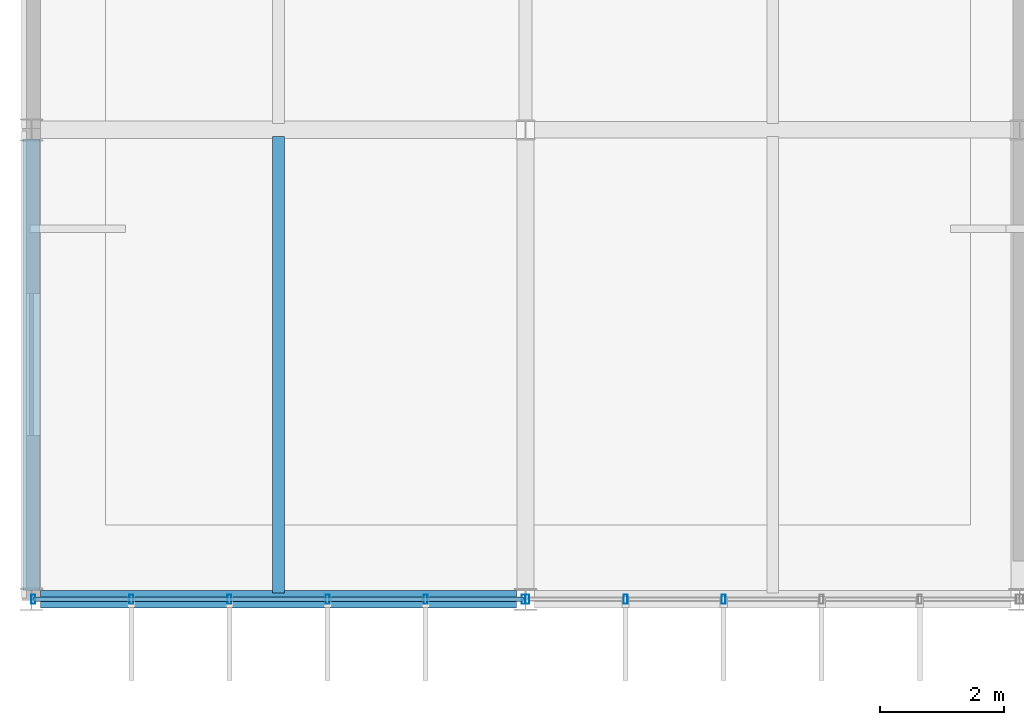
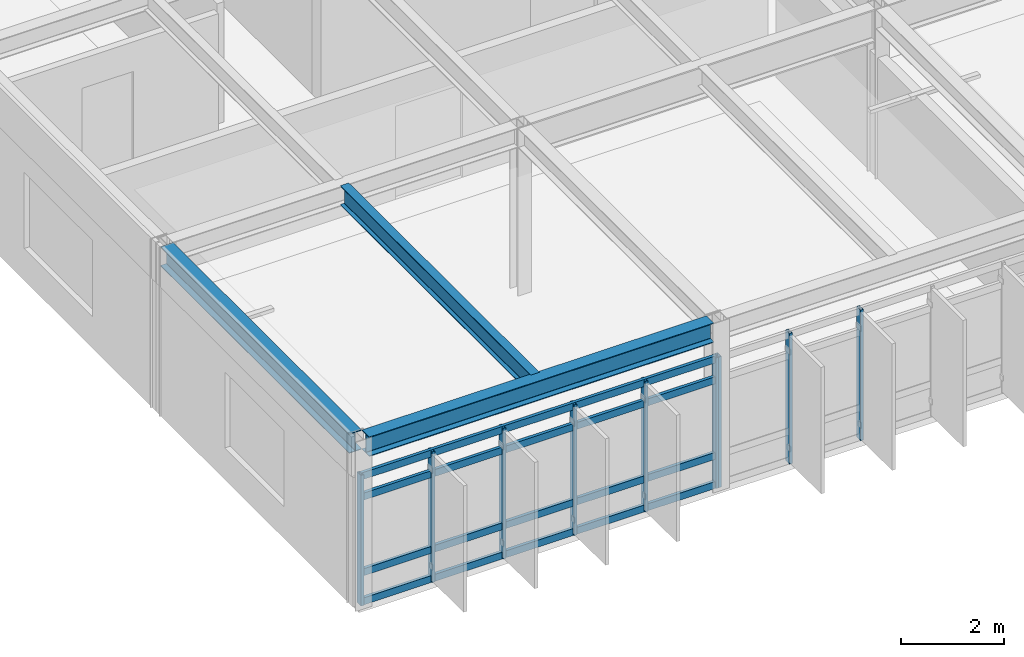
# One storey, part 8 of 33: 13 members, 3 beams, 2 elements without a shape of their own.
"""IFC4 building model written with IfcOpenShell, lengths in metres."""

import ifcopenshell
import ifcopenshell.guid

model = None  # the IFC model being written
_history = None  # IfcOwnerHistory: only IFC2X3 demands one
_inside = {}  # id of a spatial element -> (the spatial element, [elements in it])
_under = {}  # id of a project, library or spatial element -> (it, [spatial elements below it])
_declared = {}  # id of a project -> (the project, [libraries it declares])
_typed = {}  # id of a type object -> (the type object, [elements of that type])
_made_of = {}  # id of a material, layer set ... -> (it, [elements and type objects made of it])


def new_model(schema):
    """Start an empty IFC model of exactly this schema.

    Asked for "IFC4X3", IfcOpenShell would pick the latest addendum, in which some entities
    have other attributes; the version numbers below select the first issue.
    IFC2X3 requires an IfcOwnerHistory on every rooted entity: one is made here for all.
    """
    global model, _history
    if schema == "IFC4X3":
        model = ifcopenshell.file(schema_version=(4, 3, 0, 0))
    else:
        model = ifcopenshell.file(schema=schema)
    _inside.clear()
    _under.clear()
    _declared.clear()
    _typed.clear()
    _made_of.clear()
    _history = None
    if model.schema == "IFC2X3":
        org = make("IfcOrganization", Name="unknown")
        user = make(
            "IfcPersonAndOrganization",
            ThePerson=make("IfcPerson", FamilyName="unknown"),
            TheOrganization=org,
        )
        app = make(
            "IfcApplication",
            ApplicationDeveloper=org,
            Version="unknown",
            ApplicationFullName="unknown",
            ApplicationIdentifier="unknown",
        )
        _history = make(
            "IfcOwnerHistory",
            OwningUser=user,
            OwningApplication=app,
            ChangeAction="ADDED",
            CreationDate=0,
        )
    return model


def make(cls, **values):
    """One entity of the class cls with the attributes given. An attribute that is None is left unset."""
    return model.create_entity(
        cls, **{name: value for name, value in values.items() if value is not None}
    )


def rooted(cls, **values):
    """An entity with a GlobalId (a new one), such as an element, a storey or a relation."""
    return make(cls, GlobalId=ifcopenshell.guid.new(), OwnerHistory=_history, **values)


def si_unit(unit_type, name, prefix=None):
    """IfcSIUnit, for example si_unit("LENGTHUNIT", "METRE", prefix="MILLI")."""
    return make("IfcSIUnit", UnitType=unit_type, Prefix=prefix, Name=name)


def assignment(units):
    """IfcUnitAssignment: the units of a project."""
    return None if units is None else make("IfcUnitAssignment", Units=units)


def point(xyz):
    """IfcCartesianPoint."""
    return None if xyz is None else make("IfcCartesianPoint", Coordinates=xyz)


def direction(xyz):
    """IfcDirection."""
    return None if xyz is None else make("IfcDirection", DirectionRatios=xyz)


def frame(location, z_axis=None, x_axis=None):
    """IfcAxis2Placement3D, a coordinate frame: its origin and axes. An axis left out is left unset."""
    return make(
        "IfcAxis2Placement3D",
        Location=point(location),
        Axis=direction(z_axis),
        RefDirection=direction(x_axis),
    )


def frame_2d(location, x_axis=None):
    """IfcAxis2Placement2D, a coordinate frame in the plane: its origin and x axis."""
    return make(
        "IfcAxis2Placement2D", Location=point(location), RefDirection=direction(x_axis)
    )


def origin():
    """The frame at (0, 0, 0) with its axes left unset."""
    return frame((0.0, 0.0, 0.0))


def origin_2d():
    """The frame at (0, 0) in the plane with its x axis left unset."""
    return frame_2d((0.0, 0.0))


def place(relative_to, where):
    """IfcLocalPlacement: puts the frame where relative to a parent placement (None: the world)."""
    return make(
        "IfcLocalPlacement", PlacementRelTo=relative_to, RelativePlacement=where
    )


def context(
    kind, dimensions, precision=None, world=None, true_north=None, identifier=None
):
    """IfcGeometricRepresentationContext, for example the 3D "Model" context."""
    return make(
        "IfcGeometricRepresentationContext",
        ContextIdentifier=identifier,
        ContextType=kind,
        CoordinateSpaceDimension=dimensions,
        Precision=precision,
        WorldCoordinateSystem=world,
        TrueNorth=true_north,
    )


def subcontext(parent, identifier, kind, view, scale=None):
    """IfcGeometricRepresentationSubContext, for example "Body" below "Model"."""
    return make(
        "IfcGeometricRepresentationSubContext",
        ContextIdentifier=identifier,
        ContextType=kind,
        ParentContext=parent,
        TargetScale=scale,
        TargetView=view,
    )


def project(units=None, contexts=None):
    """IfcProject with its units and contexts."""
    return rooted(
        "IfcProject",
        Name="project",
        RepresentationContexts=contexts,
        UnitsInContext=assignment(units),
    )


def spatial(cls, under=None, at=None, **own):
    """A site, building, storey or space (cls), placed at a placement, below another one or the project."""
    s = rooted(cls, ObjectPlacement=at, **own)
    if under is not None:
        _under.setdefault(under.id(), (under, []))[1].append(s)
    return s


def profile(cls, at=None, kind="AREA", **sizes):
    """A parametric profile (cls). Its sizes go by their IFC names, for example OverallWidth=200.0."""
    return make(cls, ProfileType=kind, Position=at, **sizes)


def hollow_rectangle(**sizes):
    """IfcRectangleHollowProfileDef."""
    return profile("IfcRectangleHollowProfileDef", **sizes)


def i_section(**sizes):
    """IfcIShapeProfileDef."""
    return profile("IfcIShapeProfileDef", **sizes)


def extrude(swept, where, along, depth):
    """IfcExtrudedAreaSolid: the profile swept, set in the frame where, extruded along a direction by depth."""
    return make(
        "IfcExtrudedAreaSolid",
        SweptArea=swept,
        Position=where,
        ExtrudedDirection=direction(along),
        Depth=depth,
    )


def shape(context_of_items, identifier, shape_type, items):
    """IfcShapeRepresentation: the items that make up one representation, for example the "Body"."""
    return make(
        "IfcShapeRepresentation",
        ContextOfItems=context_of_items,
        RepresentationIdentifier=identifier,
        RepresentationType=shape_type,
        Items=items,
    )


def material(Name=None, Category=None):
    """IfcMaterial."""
    return make("IfcMaterial", Name=Name, Category=Category)


def material_profile(
    of_material, cross_section, Name=None, Category=None, Priority=None
):
    """IfcMaterialProfile: a cross section and its material."""
    return make(
        "IfcMaterialProfile",
        Name=Name,
        Material=of_material,
        Profile=cross_section,
        Priority=Priority,
        Category=Category,
    )


def profile_set(profiles, Name=None, composite=None):
    """IfcMaterialProfileSet."""
    return make(
        "IfcMaterialProfileSet",
        Name=Name,
        MaterialProfiles=profiles,
        CompositeProfile=composite,
    )


def made_of(thing, what):
    """Note that an element or type object is made of a material, layer set ...; save() writes the relation."""
    if what is not None:
        _made_of.setdefault(what.id(), (what, []))[1].append(thing)
    return thing


def type_object(cls, material=None, **own):
    """A type object (cls), such as IfcWallType, which elements share."""
    return made_of(rooted(cls, **own), material)


def element(
    cls,
    number,
    at=None,
    inside=None,
    cuts=None,
    type_object=None,
    material=None,
    context=None,
    identifier="Body",
    shape_type=None,
    held_by="IfcProductDefinitionShape",
    body=None,
    shapes=None,
    **own,
):
    """One element of the class cls, such as IfcWall. Its Tag is "e" and its number.

    at: its placement. inside: the storey or other place that contains it. cuts: it is an
    opening in that element (IfcRelVoidsElement). A single representation is given by context,
    identifier, shape_type and body (its items); several are given by shapes. held_by: the class
    of the entity that holds the representations. save() writes the other relations.
    """
    e = rooted(cls, Tag="e%d" % number, ObjectPlacement=at, **own)
    if body is not None:
        shapes = [shape(context, identifier, shape_type, body)]
    if shapes is not None:
        e.Representation = make(held_by, Representations=shapes)
    if inside is not None:
        _inside.setdefault(inside.id(), (inside, []))[1].append(e)
    if cuts is not None:
        rooted(
            "IfcRelVoidsElement", RelatingBuildingElement=cuts, RelatedOpeningElement=e
        )
    if type_object is not None:
        _typed.setdefault(type_object.id(), (type_object, []))[1].append(e)
    return made_of(e, material)


def aggregate(whole, parts):
    """IfcRelAggregates: a whole, such as a stair, and the parts it consists of."""
    return rooted("IfcRelAggregates", RelatingObject=whole, RelatedObjects=parts)


def save(model, path):
    """Write the relations noted so far, then the file.

    IfcRelAggregates (storeys below a building ...), IfcRelContainedInSpatialStructure (elements
    in a storey), IfcRelDefinesByType, IfcRelAssociatesMaterial and IfcRelDeclares: one each for
    every whole, place, type object, material and project.
    """
    for whole, parts in _under.values():
        aggregate(whole, parts)
    for where, things in _inside.values():
        rooted(
            "IfcRelContainedInSpatialStructure",
            RelatedElements=things,
            RelatingStructure=where,
        )
    for kind, things in _typed.values():
        rooted("IfcRelDefinesByType", RelatedObjects=things, RelatingType=kind)
    for what, things in _made_of.values():
        rooted("IfcRelAssociatesMaterial", RelatedObjects=things, RelatingMaterial=what)
    for by, libraries in _declared.values():
        rooted("IfcRelDeclares", RelatingContext=by, RelatedDefinitions=libraries)
    model.write(path)


model = new_model("IFC4")

# Units and contexts
model_context = context("Model", 3, precision=1e-05, world=origin(), true_north=direction((0.0, 1.0)))
body_context = subcontext(model_context, "Body", "Model", "MODEL_VIEW")
ifc_project = project(units=[si_unit("LENGTHUNIT", "METRE"), si_unit("AREAUNIT", "SQUARE_METRE"), si_unit("VOLUMEUNIT", "CUBIC_METRE"), si_unit("PLANEANGLEUNIT", "RADIAN"), si_unit("MASSUNIT", "GRAM", prefix="KILO")], contexts=[model_context])

# Site, building, storey
site_placement = place(None, origin())
site = spatial("IfcSite", under=ifc_project, at=site_placement, CompositionType="ELEMENT")
building_placement = place(site_placement, origin())
building = spatial("IfcBuilding", under=site, at=building_placement, Name="Zulena Civic Courthouse", CompositionType="ELEMENT")
storey_placement = place(building_placement, frame((0.0, 0.0, 33.60009765625)))
storey = spatial("IfcBuildingStorey", under=building, at=storey_placement, Name="L07", CompositionType="ELEMENT", Elevation=33.60009765625)

# Curtain wall, members
ifc_material_1 = material(Name="Double-silver low-E laminated solar-control glass", Category="glass")
curtain_wall_type = type_object("IfcCurtainWallType", Name="CW_7940x3090", PredefinedType="USERDEFINED", material=ifc_material_1)
curtain_wall_1_placement = place(storey_placement, origin())
curtain_wall_1 = element("IfcCurtainWall", 1, at=curtain_wall_1_placement, inside=storey, type_object=curtain_wall_type, Name="cw:V2:L07:3:5", ObjectType="UNITISED CURTAIN WALL", PredefinedType="USERDEFINED")
ifc_material_2 = material(Name="Bronze anodised thermally broken aluminium AA6063-T6", Category="aluminium")
ifc_material_profile_1 = material_profile(ifc_material_2, hollow_rectangle(XDim=0.06494140625, YDim=0.14990234375, WallThickness=0.00390625, at=origin_2d()), Name="CWM150X65X4")
ifc_profile_set_1 = profile_set([ifc_material_profile_1], Name="Bronze anodised thermally broken aluminium AA6063-T6")
member_type_1 = type_object("IfcMemberType", Name="CWMullion_150x65", PredefinedType="MULLION", material=ifc_profile_set_1)
member_1_placement = place(storey_placement, frame((23.2060546875, 0.0, 0.0), z_axis=(0.0, 0.0, 1.0), x_axis=(1.0, 0.0, 0.0)))
member_1 = element("IfcMember", 2, at=member_1_placement, type_object=member_type_1, Name="cw:V2:L07:3:5:mull:3", PredefinedType="MULLION", context=body_context, shape_type="SweptSolid", body=[
    extrude(hollow_rectangle(XDim=0.06494140625, YDim=0.14990234375, WallThickness=0.00390625, at=origin_2d()), origin(), (0.0, 0.0, 1.0), 3.08984375),
])
member_2_placement = place(storey_placement, frame((21.617919921875, 0.0, 0.0), z_axis=(0.0, 0.0, 1.0), x_axis=(1.0, 0.0, 0.0)))
member_2 = element("IfcMember", 3, at=member_2_placement, type_object=member_type_1, Name="cw:V2:L07:3:5:mull:4", PredefinedType="MULLION", context=body_context, shape_type="SweptSolid", body=[
    extrude(hollow_rectangle(XDim=0.06494140625, YDim=0.14990234375, WallThickness=0.00390625, at=origin_2d()), origin(), (0.0, 0.0, 1.0), 3.08984375),
])
member_3_placement = place(storey_placement, frame((20.030029296875, 0.0, 0.0), z_axis=(0.0, 0.0, 1.0), x_axis=(1.0, 0.0, 0.0)))
member_3 = element("IfcMember", 4, at=member_3_placement, type_object=member_type_1, Name="cw:V2:L07:3:5:mull:5", PredefinedType="MULLION", context=body_context, shape_type="SweptSolid", body=[
    extrude(hollow_rectangle(XDim=0.06494140625, YDim=0.14990234375, WallThickness=0.00390625, at=origin_2d()), origin(), (0.0, 0.0, 1.0), 3.08984375),
])
aggregate(curtain_wall_1, [member_1, member_2, member_3])

curtain_wall_2_placement = place(storey_placement, origin())
curtain_wall_2 = element("IfcCurtainWall", 5, at=curtain_wall_2_placement, inside=storey, type_object=curtain_wall_type, Name="cw:V2:L07:3:6", ObjectType="UNITISED CURTAIN WALL", PredefinedType="USERDEFINED")
member_4_placement = place(storey_placement, frame((19.969970703125, 0.0, 0.0), z_axis=(0.0, 0.0, 1.0), x_axis=(1.0, 0.0, 0.0)))
member_4 = element("IfcMember", 6, at=member_4_placement, type_object=member_type_1, Name="cw:V2:L07:3:6:mull:0", PredefinedType="MULLION", context=body_context, shape_type="SweptSolid", body=[
    extrude(hollow_rectangle(XDim=0.06494140625, YDim=0.14990234375, WallThickness=0.00390625, at=origin_2d()), origin(), (0.0, 0.0, 1.0), 3.08984375),
])
member_5_placement = place(storey_placement, frame((18.382080078125, 0.0, 0.0), z_axis=(0.0, 0.0, 1.0), x_axis=(1.0, 0.0, 0.0)))
member_5 = element("IfcMember", 7, at=member_5_placement, type_object=member_type_1, Name="cw:V2:L07:3:6:mull:1", PredefinedType="MULLION", context=body_context, shape_type="SweptSolid", body=[
    extrude(hollow_rectangle(XDim=0.06494140625, YDim=0.14990234375, WallThickness=0.00390625, at=origin_2d()), origin(), (0.0, 0.0, 1.0), 3.08984375),
])
member_6_placement = place(storey_placement, frame((16.7939453125, 0.0, 0.0), z_axis=(0.0, 0.0, 1.0), x_axis=(1.0, 0.0, 0.0)))
member_6 = element("IfcMember", 8, at=member_6_placement, type_object=member_type_1, Name="cw:V2:L07:3:6:mull:2", PredefinedType="MULLION", context=body_context, shape_type="SweptSolid", body=[
    extrude(hollow_rectangle(XDim=0.06494140625, YDim=0.14990234375, WallThickness=0.00390625, at=origin_2d()), origin(), (0.0, 0.0, 1.0), 3.08984375),
])
member_7_placement = place(storey_placement, frame((15.2060546875, 0.0, 0.0), z_axis=(0.0, 0.0, 1.0), x_axis=(1.0, 0.0, 0.0)))
member_7 = element("IfcMember", 9, at=member_7_placement, type_object=member_type_1, Name="cw:V2:L07:3:6:mull:3", PredefinedType="MULLION", context=body_context, shape_type="SweptSolid", body=[
    extrude(hollow_rectangle(XDim=0.06494140625, YDim=0.14990234375, WallThickness=0.00390625, at=origin_2d()), origin(), (0.0, 0.0, 1.0), 3.08984375),
])
member_8_placement = place(storey_placement, frame((13.617919921875, 0.0, 0.0), z_axis=(0.0, 0.0, 1.0), x_axis=(1.0, 0.0, 0.0)))
member_8 = element("IfcMember", 10, at=member_8_placement, type_object=member_type_1, Name="cw:V2:L07:3:6:mull:4", PredefinedType="MULLION", context=body_context, shape_type="SweptSolid", body=[
    extrude(hollow_rectangle(XDim=0.06494140625, YDim=0.14990234375, WallThickness=0.00390625, at=origin_2d()), origin(), (0.0, 0.0, 1.0), 3.08984375),
])
member_9_placement = place(storey_placement, frame((12.030029296875, 0.0, 0.0), z_axis=(0.0, 0.0, 1.0), x_axis=(1.0, 0.0, 0.0)))
member_9 = element("IfcMember", 11, at=member_9_placement, type_object=member_type_1, Name="cw:V2:L07:3:6:mull:5", PredefinedType="MULLION", context=body_context, shape_type="SweptSolid", body=[
    extrude(hollow_rectangle(XDim=0.06494140625, YDim=0.14990234375, WallThickness=0.00390625, at=origin_2d()), origin(), (0.0, 0.0, 1.0), 3.08984375),
])
ifc_material_profile_2 = material_profile(ifc_material_2, hollow_rectangle(XDim=0.070068359375, YDim=0.1650390625, WallThickness=0.00390625, at=origin_2d()), Name="CWT165X70X4")
ifc_profile_set_2 = profile_set([ifc_material_profile_2], Name="Bronze anodised thermally broken aluminium AA6063-T6")
member_type_2 = type_object("IfcMemberType", Name="CWTransom_165x70", PredefinedType="USERDEFINED", material=ifc_profile_set_2)
member_10_placement = place(storey_placement, frame((19.969970703125, 0.0, 0.059814453125), z_axis=(-1.0, 0.0, 0.0), x_axis=(0.0, -1.0, 0.0)))
member_10 = element("IfcMember", 12, at=member_10_placement, type_object=member_type_2, Name="cw:V2:L07:3:6:tran:0", ObjectType="TRANSOM", PredefinedType="USERDEFINED", context=body_context, shape_type="SweptSolid", body=[
    extrude(hollow_rectangle(XDim=0.070068359375, YDim=0.1650390625, WallThickness=0.00390625, at=origin_2d()), origin(), (0.0, 0.0, 1.0), 7.93994140625),
])
member_11_placement = place(storey_placement, frame((19.969970703125, 0.0, 0.75), z_axis=(-1.0, 0.0, 0.0), x_axis=(0.0, -1.0, 0.0)))
member_11 = element("IfcMember", 13, at=member_11_placement, type_object=member_type_2, Name="cw:V2:L07:3:6:tran:1", ObjectType="TRANSOM", PredefinedType="USERDEFINED", context=body_context, shape_type="SweptSolid", body=[
    extrude(hollow_rectangle(XDim=0.070068359375, YDim=0.1650390625, WallThickness=0.00390625, at=origin_2d()), origin(), (0.0, 0.0, 1.0), 7.93994140625),
])
member_12_placement = place(storey_placement, frame((19.969970703125, 0.0, 2.539794921875), z_axis=(-1.0, 0.0, 0.0), x_axis=(0.0, -1.0, 0.0)))
member_12 = element("IfcMember", 14, at=member_12_placement, type_object=member_type_2, Name="cw:V2:L07:3:6:tran:2", ObjectType="TRANSOM", PredefinedType="USERDEFINED", context=body_context, shape_type="SweptSolid", body=[
    extrude(hollow_rectangle(XDim=0.070068359375, YDim=0.1650390625, WallThickness=0.00390625, at=origin_2d()), origin(), (0.0, 0.0, 1.0), 7.93994140625),
])
member_13_placement = place(storey_placement, frame((19.969970703125, 0.0, 3.02978515625), z_axis=(-1.0, 0.0, 0.0), x_axis=(0.0, -1.0, 0.0)))
member_13 = element("IfcMember", 15, at=member_13_placement, type_object=member_type_2, Name="cw:V2:L07:3:6:tran:3", ObjectType="TRANSOM", PredefinedType="USERDEFINED", context=body_context, shape_type="SweptSolid", body=[
    extrude(hollow_rectangle(XDim=0.070068359375, YDim=0.1650390625, WallThickness=0.00390625, at=origin_2d()), origin(), (0.0, 0.0, 1.0), 7.93994140625),
])
aggregate(curtain_wall_2, [member_4, member_5, member_6, member_7, member_8, member_9, member_10, member_11, member_12, member_13])

# Beams
ifc_material_3 = material(Name="Steel ASTM A992 Grade 50", Category="steel")
ifc_material_profile_3 = material_profile(ifc_material_3, i_section(OverallWidth=0.19091796875, OverallDepth=0.4599609375, WebThickness=0.010009765625, FlangeThickness=0.01611328125, FilletRadius=0.01025390625, at=origin_2d()), Name="W18X55")
ifc_profile_set_3 = profile_set([ifc_material_profile_3], Name="Steel ASTM A992 Grade 50")
beam_type_1 = type_object("IfcBeamType", Name="Joist_W18X55", PredefinedType="JOIST", material=ifc_profile_set_3)
beam_1_placement = place(storey_placement, frame((16.0, 0.10498046875, 3.760009765625), z_axis=(0.0, 1.0, 0.0), x_axis=(-1.0, 0.0, 0.0)))
element("IfcBeam", 16, at=beam_1_placement, inside=storey, type_object=beam_type_1, Name="joist:V2:L07:16.00:0.0_7.6", PredefinedType="JOIST", context=body_context, shape_type="SweptSolid", body=[
    extrude(i_section(OverallWidth=0.19091796875, OverallDepth=0.4599609375, WebThickness=0.010009765625, FlangeThickness=0.01611328125, FilletRadius=0.01025390625, at=origin_2d()), origin(), (0.0, 0.0, 1.0), 7.39013671875),
])
ifc_material_profile_4 = material_profile(ifc_material_3, i_section(OverallWidth=0.280029296875, OverallDepth=0.462890625, WebThickness=0.0107421875, FlangeThickness=0.017333984375, FilletRadius=0.01025390625, at=origin_2d()), Name="W18X76")
ifc_profile_set_4 = profile_set([ifc_material_profile_4], Name="Steel ASTM A992 Grade 50")
beam_type_2 = type_object("IfcBeamType", Name="Spandrel_W18X76", PredefinedType="SPANDREL", material=ifc_profile_set_4)
beam_2_placement = place(storey_placement, frame((12.14501953125, 0.0, 3.75830078125), z_axis=(1.0, 0.0, 0.0), x_axis=(0.0, 1.0, 0.0)))
element("IfcBeam", 17, at=beam_2_placement, inside=storey, type_object=beam_type_2, Name="beam:X:V2:L07:0.0:12.0_20.0", PredefinedType="SPANDREL", context=body_context, shape_type="SweptSolid", body=[
    extrude(i_section(OverallWidth=0.280029296875, OverallDepth=0.462890625, WebThickness=0.0107421875, FlangeThickness=0.017333984375, FilletRadius=0.01025390625, at=origin_2d()), origin(), (0.0, 0.0, 1.0), 7.7099609375),
])
beam_3_placement = place(storey_placement, frame((12.0, 0.14501953125, 3.75830078125), z_axis=(0.0, 1.0, 0.0), x_axis=(-1.0, 0.0, 0.0)))
element("IfcBeam", 18, at=beam_3_placement, inside=storey, type_object=beam_type_2, Name="beam:Y:V2:L07:12.0:0.0_7.6", PredefinedType="SPANDREL", context=body_context, shape_type="SweptSolid", body=[
    extrude(i_section(OverallWidth=0.280029296875, OverallDepth=0.462890625, WebThickness=0.0107421875, FlangeThickness=0.017333984375, FilletRadius=0.01025390625, at=origin_2d()), origin(), (0.0, 0.0, 1.0), 7.31005859375),
])

save(model, "model.ifc")
